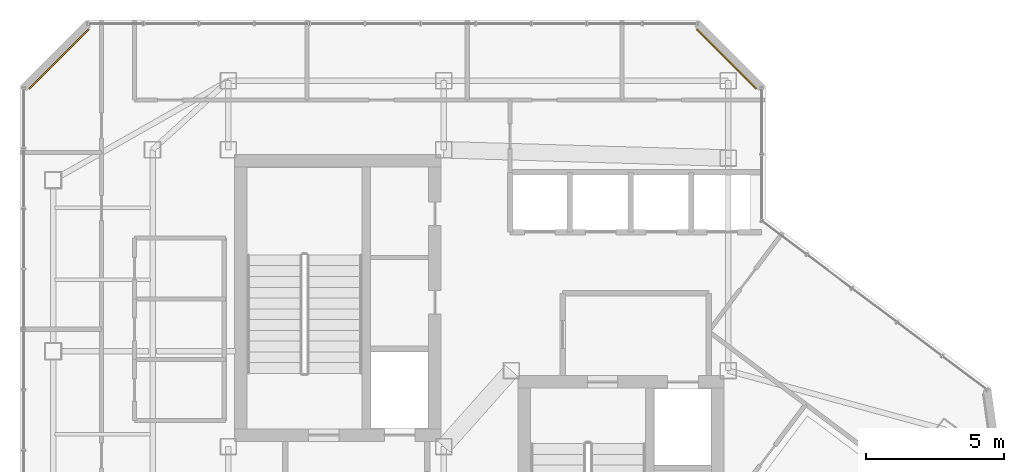
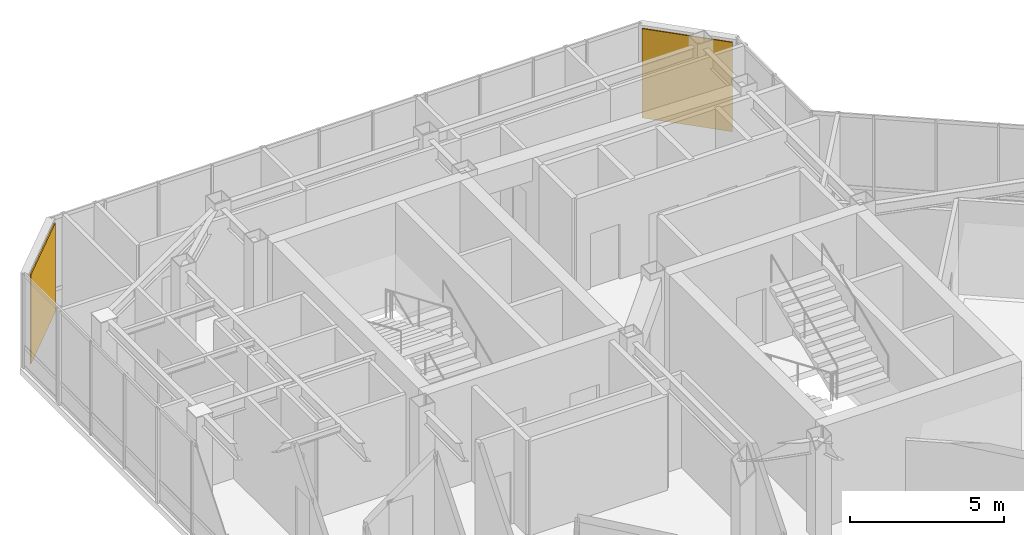
# One storey, part 31 of 31: 2 coverings.
"""IFC4 building model written with IfcOpenShell, lengths in metres."""

from ifc_helpers import new_model, si_unit, direction, frame, origin, origin_2d, place, context, subcontext, project, spatial, rectangle, extrude, material, layer, layer_set, type_object, element, save


model = new_model("IFC4")

# Units and contexts
model_context = context("Model", 3, precision=1e-05, world=origin(), true_north=direction((0.0, 1.0)))
body_context = subcontext(model_context, "Body", "Model", "MODEL_VIEW")
ifc_project = project(units=[si_unit("LENGTHUNIT", "METRE"), si_unit("AREAUNIT", "SQUARE_METRE"), si_unit("VOLUMEUNIT", "CUBIC_METRE"), si_unit("PLANEANGLEUNIT", "RADIAN"), si_unit("MASSUNIT", "GRAM", prefix="KILO")], contexts=[model_context])

# Site, building, storey
site_placement = place(None, origin())
site = spatial("IfcSite", under=ifc_project, at=site_placement, CompositionType="ELEMENT")
building_placement = place(site_placement, origin())
building = spatial("IfcBuilding", under=site, at=building_placement, Name="Hatsunagi Terrace Concourse", CompositionType="ELEMENT")
storey_placement = place(building_placement, frame((0.0, 0.0, 269.949951171875)))
storey = spatial("IfcBuildingStorey", under=building, at=storey_placement, Name="L71", CompositionType="ELEMENT", Elevation=269.949951171875)

# Coverings
ifc_material = material(Name="Unglazed Warm Terracotta Rainscreen Tile", Category="masonry")
ifc_layer = layer(ifc_material, 0.044921875)
ifc_layer_set = layer_set([ifc_layer], Name="TerracottaRainscreenCladding_45")
covering_type = type_object("IfcCoveringType", Name="TerracottaRainscreenCladding_45", PredefinedType="CLADDING", material=ifc_layer_set)
for number, where, z_axis, x_axis, name in (
    (1, (19.4140625, 46.5859375, 0.10009765625), (0.0, 0.0, 1.0), (0.707106781187, 0.707106781187, 0.0), "Terracotta Rainscreen Cladding L71-09"),
    (2, (43.5859375, 46.5859375, 0.10009765625), (0.0, 0.0, 1.0), (0.707106781187, -0.707106781187, 0.0), "Terracotta Rainscreen Cladding L71-11"),
):
    element("IfcCovering", number, at=place(storey_placement, frame(where, z_axis=z_axis, x_axis=x_axis)), inside=storey, type_object=covering_type, Name=name, PredefinedType="CLADDING", context=body_context, shape_type="SweptSolid", body=[
        extrude(rectangle(XDim=3.0380859375, YDim=0.044921875, at=origin_2d()), origin(), (0.0, 0.0, 1.0), 3.5400390625),
    ])

save(model, "model.ifc")
